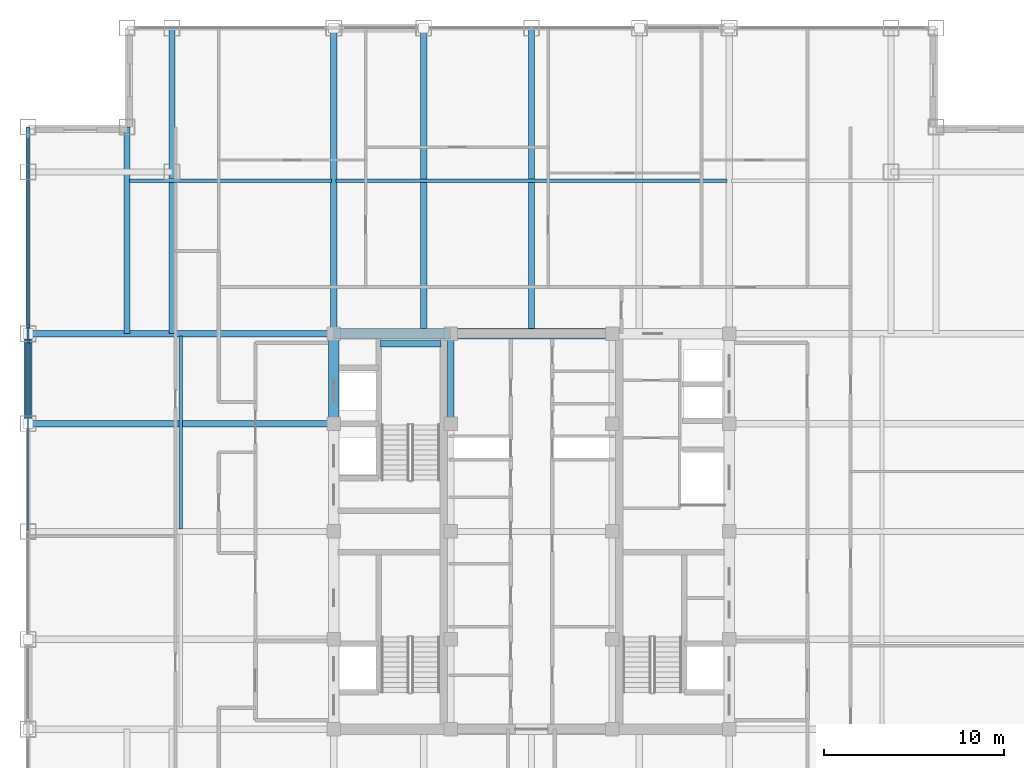
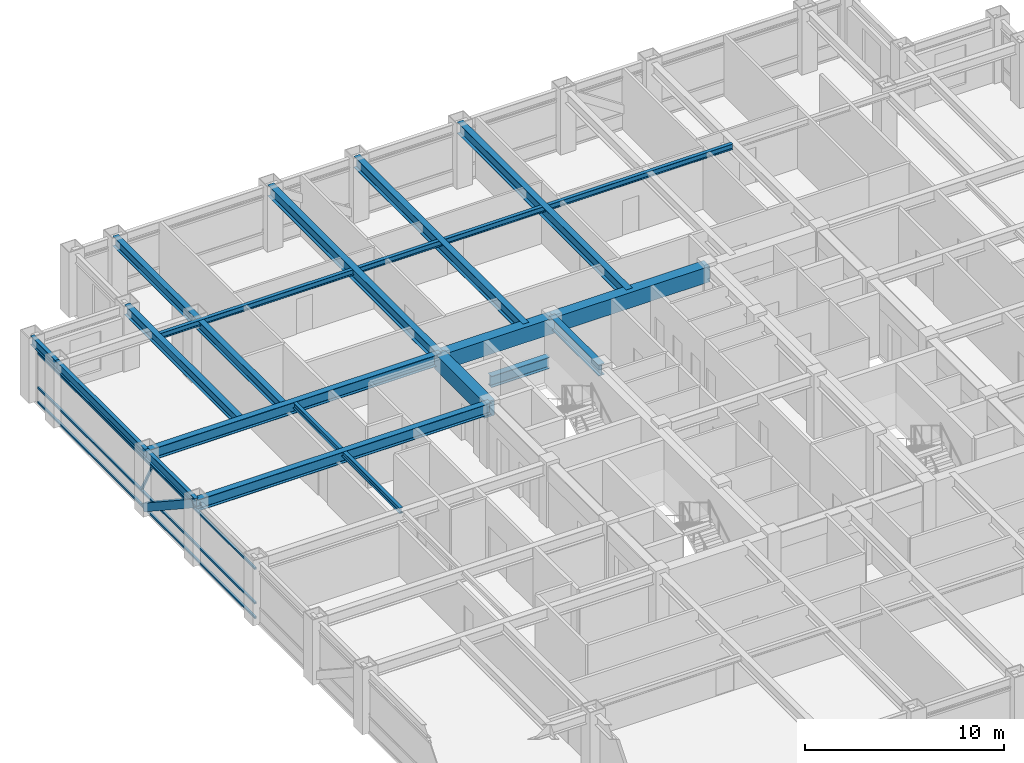
# One storey, part 11 of 22: 18 beams, 5 members, 1 element without a shape of its own.
"""IFC4 building model written with IfcOpenShell, lengths in metres."""

from ifc_helpers import new_model, si_unit, direction, frame, origin, origin_2d, place, context, subcontext, project, spatial, rectangle, hollow_rectangle, i_section, extrude, source, transform, mapped, material, material_profile, profile_set, type_object, element, aggregate, save


model = new_model("IFC4")

# Units and contexts
model_context = context("Model", 3, precision=1e-05, world=origin(), true_north=direction((0.0, 1.0)))
body_context = subcontext(model_context, "Body", "Model", "MODEL_VIEW")
ifc_project = project(units=[si_unit("LENGTHUNIT", "METRE"), si_unit("AREAUNIT", "SQUARE_METRE"), si_unit("VOLUMEUNIT", "CUBIC_METRE"), si_unit("PLANEANGLEUNIT", "RADIAN"), si_unit("MASSUNIT", "GRAM", prefix="KILO")], contexts=[model_context])

# Site, building, storey
site_placement = place(None, origin())
site = spatial("IfcSite", under=ifc_project, at=site_placement, CompositionType="ELEMENT")
building_placement = place(site_placement, origin())
building = spatial("IfcBuilding", under=site, at=building_placement, Name="Khorayat Bourse Tower", CompositionType="ELEMENT")
storey_placement = place(building_placement, frame((0.0, 0.0, 305.5)))
storey = spatial("IfcBuildingStorey", under=building, at=storey_placement, Name="L72", CompositionType="ELEMENT", Elevation=305.5)

# Beams
ifc_material_1 = material(Name="Steel ASTM A992 Grade 50", Category="steel")
ifc_material_profile_1 = material_profile(ifc_material_1, i_section(OverallWidth=0.35498046875, OverallDepth=0.695068359375, WebThickness=0.015380859375, FlangeThickness=0.02490234375, FilletRadius=0.01806640625, at=origin_2d()), Name="W690X217")
ifc_profile_set_1 = profile_set([ifc_material_profile_1], Name="Steel ASTM A992 Grade 50")
beam_type_1 = type_object("IfcBeamType", Name="BM-GIRD-690", PredefinedType="BEAM", material=ifc_profile_set_1)
shared_shape_1 = source(origin(), body_context, "Body", "SweptSolid", [
    extrude(i_section(OverallWidth=0.35498046875, OverallDepth=0.695068359375, WebThickness=0.015380859375, FlangeThickness=0.02490234375, FilletRadius=0.01806640625, at=origin_2d()), origin(), (0.0, 0.0, 1.0), 5.0),
])
beam_1_placement = place(storey_placement, frame((-4.5, 6.0, 3.4326171875), z_axis=(0.0, 1.0, 0.0), x_axis=(-1.0, 0.0, 0.0)))
element("IfcBeam", 1, at=beam_1_placement, inside=storey, type_object=beam_type_1, Name="L72 BM-GIRD-690 BM-L72-CRX-08", PredefinedType="BEAM", context=body_context, shape_type="MappedRepresentation", body=[
    mapped(shared_shape_1, transform((0.0, 0.0, 0.0), scale=1.0)),
])
shared_shape_2 = source(origin(), body_context, "Body", "SweptSolid", [
    extrude(i_section(OverallWidth=0.35498046875, OverallDepth=0.695068359375, WebThickness=0.015380859375, FlangeThickness=0.02490234375, FilletRadius=0.01806640625, at=origin_2d()), origin(), (0.0, 0.0, 1.0), 3.39990234375),
])
beam_2_placement = place(storey_placement, frame((-8.419921875, 10.449951171875, 1.452392578125), z_axis=(1.0, 0.0, 0.0), x_axis=(0.0, 1.0, 0.0)))
element("IfcBeam", 2, at=beam_2_placement, inside=storey, type_object=beam_type_1, Name="L72 BM-GIRD-690 BM-L72-ST2L", PredefinedType="BEAM", context=body_context, shape_type="MappedRepresentation", body=[
    mapped(shared_shape_2, transform((0.0, 0.0, 0.0), scale=1.0)),
])
ifc_material_profile_2 = material_profile(ifc_material_1, i_section(OverallWidth=0.324951171875, OverallDepth=0.615966796875, WebThickness=0.013916015625, FlangeThickness=0.021484375, FilletRadius=0.01611328125, at=origin_2d()), Name="W610X174")
ifc_profile_set_2 = profile_set([ifc_material_profile_2], Name="Steel ASTM A992 Grade 50")
beam_type_2 = type_object("IfcBeamType", Name="BM-GIRD-610", PredefinedType="BEAM", material=ifc_profile_set_2)
shared_shape_3 = source(origin(), body_context, "Body", "SweptSolid", [
    extrude(i_section(OverallWidth=0.324951171875, OverallDepth=0.615966796875, WebThickness=0.013916015625, FlangeThickness=0.021484375, FilletRadius=0.01611328125, at=origin_2d()), origin(), (0.0, 0.0, 1.0), 17.0),
])
beam_3_placement = place(storey_placement, frame((-20.0, 11.0, 3.471923828125), z_axis=(0.0, 1.0, 0.0), x_axis=(-1.0, 0.0, 0.0)))
element("IfcBeam", 3, at=beam_3_placement, inside=storey, type_object=beam_type_2, Name="L72 BM-GIRD-610 BM-L72-CNRY-085", PredefinedType="BEAM", context=body_context, shape_type="MappedRepresentation", body=[
    mapped(shared_shape_3, transform((0.0, 0.0, 0.0), scale=1.0)),
])
ifc_material_2 = material(Name="Concrete C60/75", Category="concrete")
ifc_material_profile_3 = material_profile(ifc_material_2, rectangle(XDim=0.60009765625, YDim=0.949951171875, at=origin_2d()), Name="RC 600x950")
ifc_profile_set_3 = profile_set([ifc_material_profile_3], Name="Concrete C60/75")
beam_type_3 = type_object("IfcBeamType", Name="BM-COUP-950", PredefinedType="BEAM", material=ifc_profile_set_3)
shared_shape_4 = source(origin(), body_context, "Body", "SweptSolid", [
    extrude(rectangle(XDim=0.60009765625, YDim=0.949951171875, at=origin_2d()), origin(), (0.0, 0.0, 1.0), 5.0),
])
beam_4_placement = place(storey_placement, frame((-11.0, 6.0, 3.304931640625), z_axis=(0.0, 1.0, 0.0), x_axis=(-1.0, 0.0, 0.0)))
element("IfcBeam", 4, at=beam_4_placement, inside=storey, type_object=beam_type_3, Name="L72 BM-COUP-950 BM-L72-CRX-04", PredefinedType="BEAM", context=body_context, shape_type="MappedRepresentation", body=[
    mapped(shared_shape_4, transform((0.0, 0.0, 0.0), scale=1.0)),
])
shared_shape_5 = source(origin(), body_context, "Body", "SweptSolid", [
    extrude(rectangle(XDim=0.60009765625, YDim=0.949951171875, at=origin_2d()), origin(), (0.0, 0.0, 1.0), 6.5),
])
beam_5_placement = place(storey_placement, frame((-11.0, 11.0, 3.304931640625), z_axis=(1.0, 0.0, 0.0), x_axis=(0.0, 1.0, 0.0)))
element("IfcBeam", 5, at=beam_5_placement, inside=storey, type_object=beam_type_3, Name="L72 BM-COUP-950 BM-L72-CRY-20", PredefinedType="BEAM", context=body_context, shape_type="MappedRepresentation", body=[
    mapped(shared_shape_5, transform((0.0, 0.0, 0.0), scale=1.0)),
])
shared_shape_6 = source(origin(), body_context, "Body", "SweptSolid", [
    extrude(rectangle(XDim=0.60009765625, YDim=0.949951171875, at=origin_2d()), origin(), (0.0, 0.0, 1.0), 9.0),
])
beam_6_placement = place(storey_placement, frame((-4.5, 11.0, 3.304931640625), z_axis=(1.0, 0.0, 0.0), x_axis=(0.0, 1.0, 0.0)))
element("IfcBeam", 6, at=beam_6_placement, inside=storey, type_object=beam_type_3, Name="L72 BM-COUP-950 BM-L72-CRY-21", PredefinedType="BEAM", context=body_context, shape_type="MappedRepresentation", body=[
    mapped(shared_shape_6, transform((0.0, 0.0, 0.0), scale=1.0)),
])

# Member
ifc_material_3 = material(Name="Steel EN 10025-4 S460M", Category="steel")
ifc_material_profile_4 = material_profile(ifc_material_3, hollow_rectangle(XDim=0.449951171875, YDim=0.449951171875, WallThickness=0.02490234375, at=origin_2d()), Name="HSS 450x450x25")
ifc_profile_set_4 = profile_set([ifc_material_profile_4], Name="Steel EN 10025-4 S460M")
member_type_1 = type_object("IfcMemberType", Name="MBR-TUBE-450", PredefinedType="BRACE", material=ifc_profile_set_4)
shared_shape_7 = source(origin(), body_context, "Body", "SweptSolid", [
    extrude(hollow_rectangle(XDim=0.449951171875, YDim=0.449951171875, WallThickness=0.02490234375, at=origin_2d()), origin(), (0.0, 0.0, 1.0), 5.979736328125),
])
member_1_placement = place(storey_placement, frame((-28.0, 6.0, 3.530029296875), z_axis=(0.0, 0.836141536525, -0.548513747227), x_axis=(-1.0, 0.0, 0.0)))
element("IfcMember", 7, at=member_1_placement, inside=storey, type_object=member_type_1, Name="L72 Perimeter Tube Brace 06", PredefinedType="BRACE", context=body_context, shape_type="MappedRepresentation", body=[
    mapped(shared_shape_7, transform((0.0, 0.0, 0.0), scale=1.0)),
])

# Beams
shared_shape_8 = source(origin(), body_context, "Body", "SweptSolid", [
    extrude(i_section(OverallWidth=0.35498046875, OverallDepth=0.695068359375, WebThickness=0.015380859375, FlangeThickness=0.02490234375, FilletRadius=0.01806640625, at=origin_2d()), origin(), (0.0, 0.0, 1.0), 17.0),
])
for number, where, z_axis, x_axis, name in (
    (8, (-11.0, 11.0, 3.4326171875), (0.0, 1.0, 0.0), (-1.0, 0.0, 0.0), "L72 BM-GIRD-690 BM-L72-RADY-064"),
    (9, (-6.0, 11.0, 3.4326171875), (0.0, 1.0, 0.0), (-1.0, 0.0, 0.0), "L72 BM-GIRD-690 BM-L72-RADY-066"),
    (10, (0.0, 11.0, 3.4326171875), (0.0, 1.0, 0.0), (-1.0, 0.0, 0.0), "L72 BM-GIRD-690 BM-L72-RADY-068"),
    (11, (-28.0, 6.0, 3.4326171875), (1.0, 0.0, 0.0), (0.0, 1.0, 0.0), "L72 BM-GIRD-690 BM-L72-RADX-081"),
    (12, (-28.0, 11.0, 3.4326171875), (1.0, 0.0, 0.0), (0.0, 1.0, 0.0), "L72 BM-GIRD-690 BM-L72-RADX-083"),
):
    element("IfcBeam", number, at=place(storey_placement, frame(where, z_axis=z_axis, x_axis=x_axis)), inside=storey, type_object=beam_type_1, Name=name, PredefinedType="BEAM", context=body_context, shape_type="MappedRepresentation", body=[
        mapped(shared_shape_8, transform((0.0, 0.0, 0.0), scale=1.0)),
    ])
shared_shape_9 = source(origin(), body_context, "Body", "SweptSolid", [
    extrude(i_section(OverallWidth=0.324951171875, OverallDepth=0.615966796875, WebThickness=0.013916015625, FlangeThickness=0.021484375, FilletRadius=0.01611328125, at=origin_2d()), origin(), (0.0, 0.0, 1.0), 11.5),
])
beam_7_placement = place(storey_placement, frame((-22.5, 11.0, 3.471923828125), z_axis=(0.0, 1.0, 0.0), x_axis=(-1.0, 0.0, 0.0)))
element("IfcBeam", 13, at=beam_7_placement, inside=storey, type_object=beam_type_2, Name="L72 BM-GIRD-610 BM-L72-CNRY-089", PredefinedType="BEAM", context=body_context, shape_type="MappedRepresentation", body=[
    mapped(shared_shape_9, transform((0.0, 0.0, 0.0), scale=1.0)),
])
ifc_material_profile_5 = material_profile(ifc_material_1, i_section(OverallWidth=0.202880859375, OverallDepth=0.346923828125, WebThickness=0.0078125, FlangeThickness=0.013427734375, FilletRadius=0.010009765625, at=origin_2d()), Name="W360X64")
ifc_profile_set_5 = profile_set([ifc_material_profile_5], Name="Steel ASTM A992 Grade 50")
beam_type_4 = type_object("IfcBeamType", Name="BM-JOIST-360", PredefinedType="JOIST", material=ifc_profile_set_5)
shared_shape_10 = source(origin(), body_context, "Body", "SweptSolid", [
    extrude(i_section(OverallWidth=0.202880859375, OverallDepth=0.346923828125, WebThickness=0.0078125, FlangeThickness=0.013427734375, FilletRadius=0.010009765625, at=origin_2d()), origin(), (0.0, 0.0, 1.0), 11.240234375),
])
beam_8_placement = place(storey_placement, frame((-22.3701171875, 19.5, 3.6064453125), z_axis=(1.0, 0.0, 0.0), x_axis=(0.0, 1.0, 0.0)))
element("IfcBeam", 14, at=beam_8_placement, inside=storey, type_object=beam_type_4, Name="L72 BM-JOIST-360 BM-L72-JSTX-099", PredefinedType="JOIST", context=body_context, shape_type="MappedRepresentation", body=[
    mapped(shared_shape_10, transform((0.0, 0.0, 0.0), scale=1.0)),
])
shared_shape_11 = source(origin(), body_context, "Body", "SweptSolid", [
    extrude(i_section(OverallWidth=0.202880859375, OverallDepth=0.346923828125, WebThickness=0.0078125, FlangeThickness=0.013427734375, FilletRadius=0.010009765625, at=origin_2d()), origin(), (0.0, 0.0, 1.0), 21.740234375),
])
beam_9_placement = place(storey_placement, frame((-10.8701171875, 19.5, 3.6064453125), z_axis=(1.0, 0.0, 0.0), x_axis=(0.0, 1.0, 0.0)))
element("IfcBeam", 15, at=beam_9_placement, inside=storey, type_object=beam_type_4, Name="L72 BM-JOIST-360 BM-L72-JSTX-100", PredefinedType="JOIST", context=body_context, shape_type="MappedRepresentation", body=[
    mapped(shared_shape_11, transform((0.0, 0.0, 0.0), scale=1.0)),
])
shared_shape_12 = source(origin(), body_context, "Body", "SweptSolid", [
    extrude(i_section(OverallWidth=0.202880859375, OverallDepth=0.346923828125, WebThickness=0.0078125, FlangeThickness=0.013427734375, FilletRadius=0.010009765625, at=origin_2d()), origin(), (0.0, 0.0, 1.0), 10.740234375),
])
beam_10_placement = place(storey_placement, frame((-19.5, 0.1298828125, 3.6064453125), z_axis=(0.0, 1.0, 0.0), x_axis=(-1.0, 0.0, 0.0)))
element("IfcBeam", 16, at=beam_10_placement, inside=storey, type_object=beam_type_4, Name="L72 BM-JOIST-360 BM-L72-JSTY-103", PredefinedType="JOIST", context=body_context, shape_type="MappedRepresentation", body=[
    mapped(shared_shape_12, transform((0.0, 0.0, 0.0), scale=1.0)),
])
ifc_material_profile_6 = material_profile(ifc_material_1, i_section(OverallWidth=0.214111328125, OverallDepth=0.549072265625, WebThickness=0.0146484375, FlangeThickness=0.023681640625, FilletRadius=0.013916015625, at=origin_2d()), Name="W530X138")
ifc_profile_set_6 = profile_set([ifc_material_profile_6], Name="Steel ASTM A992 Grade 50")
beam_type_5 = type_object("IfcBeamType", Name="BM-SPAN-530", PredefinedType="SPANDREL", material=ifc_profile_set_6)
shared_shape_13 = source(origin(), body_context, "Body", "SweptSolid", [
    extrude(i_section(OverallWidth=0.214111328125, OverallDepth=0.549072265625, WebThickness=0.0146484375, FlangeThickness=0.023681640625, FilletRadius=0.013916015625, at=origin_2d()), origin(), (0.0, 0.0, 1.0), 2.5),
])
beam_11_placement = place(storey_placement, frame((-28.0, 20.0, 3.505615234375), z_axis=(0.0, 1.0, 0.0), x_axis=(-1.0, 0.0, 0.0)))
element("IfcBeam", 17, at=beam_11_placement, inside=storey, type_object=beam_type_5, Name="L72 BM-SPAN-530 BM-L72-SPN-054", PredefinedType="SPANDREL", context=body_context, shape_type="MappedRepresentation", body=[
    mapped(shared_shape_13, transform((0.0, 0.0, 0.0), scale=1.0)),
])
shared_shape_14 = source(origin(), body_context, "Body", "SweptSolid", [
    extrude(i_section(OverallWidth=0.214111328125, OverallDepth=0.549072265625, WebThickness=0.0146484375, FlangeThickness=0.023681640625, FilletRadius=0.013916015625, at=origin_2d()), origin(), (0.0, 0.0, 1.0), 9.0),
])
beam_12_placement = place(storey_placement, frame((-28.0, 11.0, 3.505615234375), z_axis=(0.0, 1.0, 0.0), x_axis=(-1.0, 0.0, 0.0)))
element("IfcBeam", 18, at=beam_12_placement, inside=storey, type_object=beam_type_5, Name="L72 BM-SPAN-530 BM-L72-SPN-055", PredefinedType="SPANDREL", context=body_context, shape_type="MappedRepresentation", body=[
    mapped(shared_shape_14, transform((0.0, 0.0, 0.0), scale=1.0)),
])
shared_shape_15 = source(origin(), body_context, "Body", "SweptSolid", [
    extrude(i_section(OverallWidth=0.214111328125, OverallDepth=0.549072265625, WebThickness=0.0146484375, FlangeThickness=0.023681640625, FilletRadius=0.013916015625, at=origin_2d()), origin(), (0.0, 0.0, 1.0), 5.0),
])
beam_13_placement = place(storey_placement, frame((-28.0, 6.0, 3.505615234375), z_axis=(0.0, 1.0, 0.0), x_axis=(-1.0, 0.0, 0.0)))
element("IfcBeam", 19, at=beam_13_placement, inside=storey, type_object=beam_type_5, Name="L72 BM-SPAN-530 BM-L72-SPN-056", PredefinedType="SPANDREL", context=body_context, shape_type="MappedRepresentation", body=[
    mapped(shared_shape_15, transform((0.0, 0.0, 0.0), scale=1.0)),
])

# Curtain wall, members
ifc_material_4 = material(Name="Aluminium EN AW-6063 T6", Category="aluminium")
curtain_wall_type = type_object("IfcCurtainWallType", Name="CW-SYS-04", PredefinedType="NOTDEFINED", material=ifc_material_4)
curtain_wall_placement = place(storey_placement, origin())
curtain_wall = element("IfcCurtainWall", 20, at=curtain_wall_placement, inside=storey, type_object=curtain_wall_type, Name="L72 Curtain Wall CW-L72-W1", PredefinedType="NOTDEFINED")
ifc_material_profile_7 = material_profile(ifc_material_4, hollow_rectangle(XDim=0.1201171875, YDim=0.1201171875, WallThickness=0.0048828125, at=origin_2d()), Name="ALU 120x120x5")
ifc_profile_set_7 = profile_set([ifc_material_profile_7], Name="Aluminium EN AW-6063 T6")
member_type_2 = type_object("IfcMemberType", Name="CWM-DIAG-120", PredefinedType="MULLION", material=ifc_profile_set_7)
shared_shape_16 = source(origin(), body_context, "Body", "SweptSolid", [
    extrude(hollow_rectangle(XDim=0.1201171875, YDim=0.1201171875, WallThickness=0.0048828125, at=origin_2d()), origin(), (0.0, 0.0, 1.0), 2.0791015625),
])
member_2_placement = place(storey_placement, frame((-28.0, 11.4541015625, 1.090087890625), z_axis=(0.0, -0.465717394116, 0.884933505309), x_axis=(1.0, 0.0, 0.0)))
member_2 = element("IfcMember", 21, at=member_2_placement, type_object=member_type_2, Name="CW-L72-W1 Faceted Diagonal Mullion 2", PredefinedType="MULLION", context=body_context, shape_type="MappedRepresentation", body=[
    mapped(shared_shape_16, transform((0.0, 0.0, 0.0), scale=1.0)),
])
ifc_material_profile_8 = material_profile(ifc_material_4, hollow_rectangle(XDim=0.1201171875, YDim=0.1201171875, WallThickness=0.0048828125, at=origin_2d()), Name="ALU 120x120x5")
ifc_profile_set_8 = profile_set([ifc_material_profile_8], Name="Aluminium EN AW-6063 T6")
member_type_3 = type_object("IfcMemberType", Name="CWT-HORZ-120", PredefinedType="USERDEFINED", material=ifc_profile_set_8)
shared_shape_17 = source(origin(), body_context, "Body", "SweptSolid", [
    extrude(hollow_rectangle(XDim=0.1201171875, YDim=0.1201171875, WallThickness=0.0048828125, at=origin_2d()), origin(), (0.0, 0.0, 1.0), 21.81982421875),
])
member_3_placement = place(storey_placement, frame((-28.0, 0.06005859375, 0.06005859375), z_axis=(0.0, 1.0, 0.0), x_axis=(-1.0, 0.0, 0.0)))
member_3 = element("IfcMember", 22, at=member_3_placement, type_object=member_type_3, Name="CW-L72-W1 Horizontal Transom 2-1", ObjectType="TRANSOM", PredefinedType="USERDEFINED", context=body_context, shape_type="MappedRepresentation", body=[
    mapped(shared_shape_17, transform((0.0, 0.0, 0.0), scale=1.0)),
])
member_4_placement = place(storey_placement, frame((-28.0, 0.06005859375, 0.949951171875), z_axis=(0.0, 1.0, 0.0), x_axis=(-1.0, 0.0, 0.0)))
member_4 = element("IfcMember", 23, at=member_4_placement, type_object=member_type_3, Name="CW-L72-W1 Horizontal Transom 2-2", ObjectType="TRANSOM", PredefinedType="USERDEFINED", context=body_context, shape_type="MappedRepresentation", body=[
    mapped(shared_shape_17, transform((0.0, 0.0, 0.0), scale=1.0)),
])
member_5_placement = place(storey_placement, frame((-28.0, 0.06005859375, 3.070068359375), z_axis=(0.0, 1.0, 0.0), x_axis=(-1.0, 0.0, 0.0)))
member_5 = element("IfcMember", 24, at=member_5_placement, type_object=member_type_3, Name="CW-L72-W1 Horizontal Transom 2-3", ObjectType="TRANSOM", PredefinedType="USERDEFINED", context=body_context, shape_type="MappedRepresentation", body=[
    mapped(shared_shape_17, transform((0.0, 0.0, 0.0), scale=1.0)),
])
aggregate(curtain_wall, [member_3, member_4, member_5, member_2])

save(model, "model.ifc")
